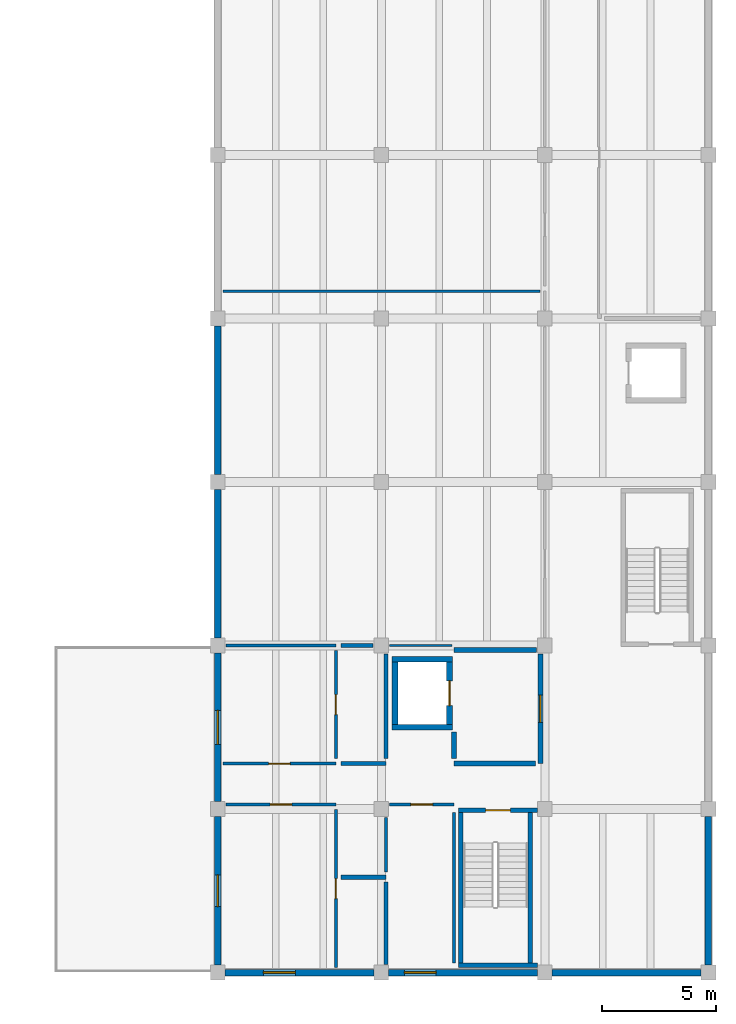
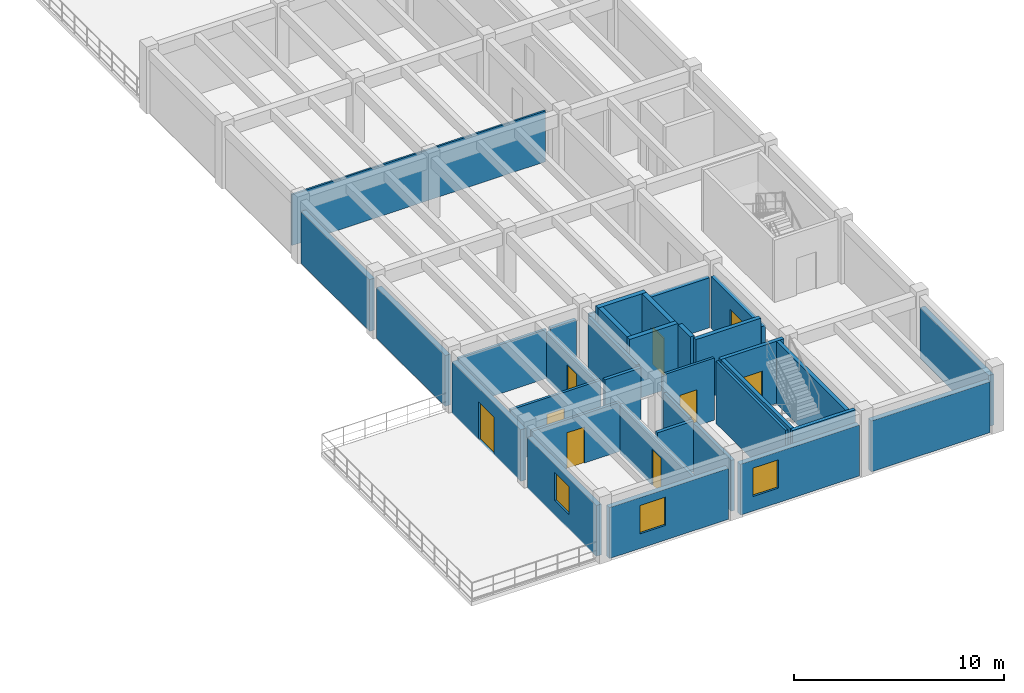
# One storey, part 8 of 13: 35 walls, 9 doors, 3 windows, 12 openings.
"""IFC4 building model written with IfcOpenShell, lengths in metres."""

from ifc_helpers import new_model, si_unit, direction, frame, frame_2d, origin, place, context, subcontext, project, spatial, rectangle, extrude, material, layer, layer_set, type_object, element, fill, save


model = new_model("IFC4")

# Units and contexts
model_context = context("Model", 3, precision=1e-05, world=origin(), true_north=direction((0.0, 1.0)))
body_context = subcontext(model_context, "Body", "Model", "MODEL_VIEW")
ifc_project = project(units=[si_unit("LENGTHUNIT", "METRE"), si_unit("AREAUNIT", "SQUARE_METRE"), si_unit("VOLUMEUNIT", "CUBIC_METRE"), si_unit("PLANEANGLEUNIT", "RADIAN"), si_unit("MASSUNIT", "GRAM", prefix="KILO")], contexts=[model_context])

# Site, building, storey
site_placement = place(None, origin())
site = spatial("IfcSite", under=ifc_project, at=site_placement, CompositionType="ELEMENT")
building_placement = place(site_placement, origin())
building = spatial("IfcBuilding", under=site, at=building_placement, Name="Koriwan Promenade Central Fire Station", CompositionType="ELEMENT")
storey_placement = place(building_placement, frame((0.0, 0.0, 13.5)))
storey = spatial("IfcBuildingStorey", under=building, at=storey_placement, Name="L03", CompositionType="ELEMENT", Elevation=13.5)

# Walls
ifc_material_1 = material(Name="Precast concrete C40/50", Category="concrete")
ifc_layer_1 = layer(ifc_material_1, 0.280029296875, Name="Precast concrete C40/50")
ifc_layer_set_1 = layer_set([ifc_layer_1], Name="Precast concrete C40/50")
wall_type_1 = type_object("IfcWallType", Name="ExtWall_Terracotta_280", PredefinedType="ELEMENTEDWALL", material=ifc_layer_set_1)
wall_1_placement = place(storey_placement, frame((172.800048828125, 0.324951171875, 0.0), z_axis=(0.0, 0.0, 1.0), x_axis=(0.0, 1.0, 0.0)))
element("IfcWall", 1, at=wall_1_placement, inside=storey, type_object=wall_type_1, Name="V5 L03 exterior wall 287", PredefinedType="ELEMENTEDWALL", context=body_context, shape_type="SweptSolid", body=[
    extrude(rectangle(XDim=6.550048828125, YDim=0.280029296875, at=frame_2d((3.27490234375, 0.0))), origin(), (0.0, 0.0, 1.0), 2.9599609375),
])
wall_2_placement = place(storey_placement, frame((151.199951171875, 28.47509765625, 0.0), z_axis=(0.0, 0.0, 1.0), x_axis=(0.0, -1.0, 0.0)))
element("IfcWall", 2, at=wall_2_placement, inside=storey, type_object=wall_type_1, Name="V5 L03 exterior wall 298", PredefinedType="ELEMENTEDWALL", context=body_context, shape_type="SweptSolid", body=[
    extrude(rectangle(XDim=6.550048828125, YDim=0.280029296875, at=frame_2d((3.27490234375, 0.0))), origin(), (0.0, 0.0, 1.0), 3.010009765625),
])
wall_3_placement = place(storey_placement, frame((151.199951171875, 21.27490234375, 0.0), z_axis=(0.0, 0.0, 1.0), x_axis=(0.0, -1.0, 0.0)))
element("IfcWall", 3, at=wall_3_placement, inside=storey, type_object=wall_type_1, Name="V5 L03 exterior wall 299", PredefinedType="ELEMENTEDWALL", context=body_context, shape_type="SweptSolid", body=[
    extrude(rectangle(XDim=6.5498046875, YDim=0.280029296875, at=frame_2d((3.27490234375, 0.0))), origin(), (0.0, 0.0, 1.0), 2.9599609375),
])

# Wall, opening, door
wall_4_placement = place(storey_placement, frame((151.199951171875, 14.074951171875, 0.0), z_axis=(0.0, 0.0, 1.0), x_axis=(0.0, -1.0, 0.0)))
wall_4 = element("IfcWall", 4, at=wall_4_placement, inside=storey, type_object=wall_type_1, Name="V5 L03 exterior wall 300", PredefinedType="ELEMENTEDWALL", context=body_context, shape_type="SweptSolid", body=[
    extrude(rectangle(XDim=6.550048828125, YDim=0.280029296875, at=frame_2d((3.27490234375, 0.0))), origin(), (0.0, 0.0, 1.0), 3.010009765625),
])
opening_1_placement = place(wall_4_placement, frame((2.52490234375, 0.0, 0.0)))
opening_1 = element("IfcOpeningElement", 5, at=opening_1_placement, cuts=wall_4, Name="Opening TD-028", PredefinedType="OPENING", context=body_context, shape_type="SweptSolid", body=[
    extrude(rectangle(XDim=1.5, YDim=2.199951171875, at=frame_2d((0.75, 1.10009765625))), frame((0.0, 0.15185546875, 0.0), z_axis=(0.0, -1.0, 0.0), x_axis=(1.0, 0.0, 0.0)), (0.0, 0.0, 1.0), 0.303955078125),
])
ifc_material_2 = material(Name="Aluminium EN AW-6063-T6 and laminated safety glass", Category="aluminium")
door_type_1 = type_object("IfcDoorType", Name="TerraceDoor_1500x2200", OperationType="DOUBLE_SWING_LEFT", PredefinedType="DOOR", material=ifc_material_2)
door_1_placement = place(opening_1_placement, frame((1.5, 0.0, 0.0), z_axis=(0.0, 0.0, 1.0), x_axis=(-1.0, 0.0, 0.0)))
door_1 = element("IfcDoor", 6, at=door_1_placement, inside=storey, type_object=door_type_1, Name="V5 L03 Terrace Access Door TD-028", OperationType="DOUBLE_SWING_LEFT", OverallHeight=2.199951171875, OverallWidth=1.5, PredefinedType="DOOR", context=body_context, shape_type="SweptSolid", body=[
    extrude(rectangle(XDim=1.5, YDim=2.199951171875, at=frame_2d((0.75, 1.10009765625))), frame((0.0, 0.02490234375, 0.0), z_axis=(0.0, -1.0, 0.0), x_axis=(1.0, 0.0, 0.0)), (0.0, 0.0, 1.0), 0.050048828125),
])
fill(opening_1, door_1)

# Wall, opening, window
wall_5_placement = place(storey_placement, frame((151.199951171875, 6.875, 0.0), z_axis=(0.0, 0.0, 1.0), x_axis=(0.0, -1.0, 0.0)))
wall_5 = element("IfcWall", 7, at=wall_5_placement, inside=storey, type_object=wall_type_1, Name="V5 L03 exterior wall 301", PredefinedType="ELEMENTEDWALL", context=body_context, shape_type="SweptSolid", body=[
    extrude(rectangle(XDim=6.550048828125, YDim=0.280029296875, at=frame_2d((3.27490234375, 0.0))), origin(), (0.0, 0.0, 1.0), 2.9599609375),
])
opening_2_placement = place(wall_5_placement, frame((2.574951171875, 0.0, 0.85009765625)))
opening_2 = element("IfcOpeningElement", 8, at=opening_2_placement, cuts=wall_5, Name="Opening W-07", PredefinedType="OPENING", context=body_context, shape_type="SweptSolid", body=[
    extrude(rectangle(XDim=1.39990234375, YDim=1.64990234375, at=frame_2d((0.699951171875, 0.824951171875))), frame((0.0, 0.15185546875, 0.0), z_axis=(0.0, -1.0, 0.0), x_axis=(1.0, 0.0, 0.0)), (0.0, 0.0, 1.0), 0.303955078125),
])
ifc_material_3 = material(Name="Solar-control low-E laminated double glazing", Category="glass")
window_type = type_object("IfcWindowType", Name="Win_Dorm_1400x1650", PartitioningType="SINGLE_PANEL", PredefinedType="WINDOW", material=ifc_material_3)
window_1_placement = place(opening_2_placement, origin())
window_1 = element("IfcWindow", 9, at=window_1_placement, inside=storey, type_object=window_type, Name="V5 L03 dormitory window 0099", OverallHeight=1.64990234375, OverallWidth=1.39990234375, PartitioningType="SINGLE_PANEL", PredefinedType="WINDOW", context=body_context, shape_type="SweptSolid", body=[
    extrude(rectangle(XDim=1.39990234375, YDim=1.64990234375, at=frame_2d((0.699951171875, 0.824951171875))), frame((0.0, 0.030029296875, 0.0), z_axis=(0.0, -1.0, 0.0), x_axis=(1.0, 0.0, 0.0)), (0.0, 0.0, 1.0), 0.06005859375),
])
fill(opening_2, window_1)

wall_6_placement = place(storey_placement, frame((151.52490234375, 0.0, 0.0), z_axis=(0.0, 0.0, 1.0), x_axis=(1.0, 0.0, 0.0)))
wall_6 = element("IfcWall", 10, at=wall_6_placement, inside=storey, type_object=wall_type_1, Name="V5 L03 exterior wall 302", PredefinedType="ELEMENTEDWALL", context=body_context, shape_type="SweptSolid", body=[
    extrude(rectangle(XDim=6.550048828125, YDim=0.280029296875, at=frame_2d((3.27490234375, 0.0))), origin(), (0.0, 0.0, 1.0), 2.9599609375),
])
opening_3_placement = place(wall_6_placement, frame((1.6875, 0.0, 0.85009765625)))
opening_3 = element("IfcOpeningElement", 11, at=opening_3_placement, cuts=wall_6, Name="Opening W-07", PredefinedType="OPENING", context=body_context, shape_type="SweptSolid", body=[
    extrude(rectangle(XDim=1.39990234375, YDim=1.64990234375, at=frame_2d((0.699951171875, 0.824951171875))), frame((0.0, 0.15185546875, 0.0), z_axis=(0.0, -1.0, 0.0), x_axis=(1.0, 0.0, 0.0)), (0.0, 0.0, 1.0), 0.303955078125),
])
window_2_placement = place(opening_3_placement, origin())
window_2 = element("IfcWindow", 12, at=window_2_placement, inside=storey, type_object=window_type, Name="V5 L03 dormitory window 0100", OverallHeight=1.64990234375, OverallWidth=1.39990234375, PartitioningType="SINGLE_PANEL", PredefinedType="WINDOW", context=body_context, shape_type="SweptSolid", body=[
    extrude(rectangle(XDim=1.39990234375, YDim=1.64990234375, at=frame_2d((0.699951171875, 0.824951171875))), frame((0.0, 0.030029296875, 0.0), z_axis=(0.0, -1.0, 0.0), x_axis=(1.0, 0.0, 0.0)), (0.0, 0.0, 1.0), 0.06005859375),
])
fill(opening_3, window_2)

wall_7_placement = place(storey_placement, frame((158.72509765625, 0.0, 0.0), z_axis=(0.0, 0.0, 1.0), x_axis=(1.0, 0.0, 0.0)))
wall_7 = element("IfcWall", 13, at=wall_7_placement, inside=storey, type_object=wall_type_1, Name="V5 L03 exterior wall 303", PredefinedType="ELEMENTEDWALL", context=body_context, shape_type="SweptSolid", body=[
    extrude(rectangle(XDim=6.5498046875, YDim=0.280029296875, at=frame_2d((3.27490234375, 0.0))), origin(), (0.0, 0.0, 1.0), 2.9599609375),
])
opening_4_placement = place(wall_7_placement, frame((0.6875, 0.0, 0.85009765625)))
opening_4 = element("IfcOpeningElement", 14, at=opening_4_placement, cuts=wall_7, Name="Opening W-07", PredefinedType="OPENING", context=body_context, shape_type="SweptSolid", body=[
    extrude(rectangle(XDim=1.39990234375, YDim=1.64990234375, at=frame_2d((0.699951171875, 0.824951171875))), frame((0.0, 0.15185546875, 0.0), z_axis=(0.0, -1.0, 0.0), x_axis=(1.0, 0.0, 0.0)), (0.0, 0.0, 1.0), 0.303955078125),
])
window_3_placement = place(opening_4_placement, origin())
window_3 = element("IfcWindow", 15, at=window_3_placement, inside=storey, type_object=window_type, Name="V5 L03 dormitory window 0101", OverallHeight=1.64990234375, OverallWidth=1.39990234375, PartitioningType="SINGLE_PANEL", PredefinedType="WINDOW", context=body_context, shape_type="SweptSolid", body=[
    extrude(rectangle(XDim=1.39990234375, YDim=1.64990234375, at=frame_2d((0.699951171875, 0.824951171875))), frame((0.0, 0.030029296875, 0.0), z_axis=(0.0, -1.0, 0.0), x_axis=(1.0, 0.0, 0.0)), (0.0, 0.0, 1.0), 0.06005859375),
])
fill(opening_4, window_3)

# Walls
wall_8_placement = place(storey_placement, frame((165.925048828125, 0.0, 0.0), z_axis=(0.0, 0.0, 1.0), x_axis=(1.0, 0.0, 0.0)))
element("IfcWall", 16, at=wall_8_placement, inside=storey, type_object=wall_type_1, Name="V5 L03 exterior wall 304", PredefinedType="ELEMENTEDWALL", context=body_context, shape_type="SweptSolid", body=[
    extrude(rectangle(XDim=6.550048828125, YDim=0.280029296875, at=frame_2d((3.27490234375, 0.0))), origin(), (0.0, 0.0, 1.0), 2.9599609375),
])
ifc_material_4 = material(Name="Gypsum board acoustic stud partition", Category="gypsum")
ifc_layer_2 = layer(ifc_material_4, 0.10009765625, Name="Gypsum board acoustic stud partition")
ifc_layer_set_2 = layer_set([ifc_layer_2], Name="Gypsum board acoustic stud partition")
wall_type_2 = type_object("IfcWallType", Name="IntWall_Drywall_100", PredefinedType="PARTITIONING", material=ifc_layer_set_2)
wall_9_placement = place(storey_placement, frame((158.764892578125, 14.39990234375, 0.0), z_axis=(0.0, 0.0, 1.0), x_axis=(1.0, 0.0, 0.0)))
element("IfcWall", 17, at=wall_9_placement, inside=storey, type_object=wall_type_2, Name="Radio Engineering and Telemetry Laboratory partition S", PredefinedType="PARTITIONING", context=body_context, shape_type="SweptSolid", body=[
    extrude(rectangle(XDim=2.743896484375, YDim=0.10009765625, at=frame_2d((1.3720703125, 0.0))), origin(), (0.0, 0.0, 1.0), 2.907958984375),
])
wall_10_placement = place(storey_placement, frame((151.419921875, 30.0, 0.0), z_axis=(0.0, 0.0, 1.0), x_axis=(1.0, 0.0, 0.0)))
element("IfcWall", 18, at=wall_10_placement, inside=storey, type_object=wall_type_2, Name="Radio Engineering and Telemetry Laboratory partition N", PredefinedType="PARTITIONING", context=body_context, shape_type="SweptSolid", body=[
    extrude(rectangle(XDim=13.9599609375, YDim=0.10009765625, at=frame_2d((6.97998046875, 0.0))), origin(), (0.0, 0.0, 1.0), 2.9580078125),
])

# Wall, opening, door
ifc_material_5 = material(Name="Concrete C35/45 compartment wall", Category="concrete")
ifc_layer_3 = layer(ifc_material_5, 0.219970703125, Name="Concrete C35/45 compartment wall")
ifc_layer_set_3 = layer_set([ifc_layer_3], Name="Concrete C35/45 compartment wall")
wall_type_3 = type_object("IfcWallType", Name="IntWall_Plant_220", PredefinedType="STANDARD", material=ifc_layer_set_3)
wall_11_placement = place(storey_placement, frame((165.39990234375, 9.199951171875, 0.0), z_axis=(0.0, 0.0, 1.0), x_axis=(0.0, 1.0, 0.0)))
wall_11 = element("IfcWall", 19, at=wall_11_placement, inside=storey, type_object=wall_type_3, Name="Headquarters Firefighting Lift Lobby L03 partition E", PredefinedType="STANDARD", context=body_context, shape_type="SweptSolid", body=[
    extrude(rectangle(XDim=4.8349609375, YDim=0.219970703125, at=frame_2d((2.41748046875, 0.0))), origin(), (0.0, 0.0, 1.0), 3.008056640625),
])
opening_5_placement = place(wall_11_placement, frame((1.8173828125, 0.0, 0.0)))
opening_5 = element("IfcOpeningElement", 20, at=opening_5_placement, cuts=wall_11, Name="Opening D-173", PredefinedType="OPENING", context=body_context, shape_type="SweptSolid", body=[
    extrude(rectangle(XDim=1.199951171875, YDim=2.199951171875, at=frame_2d((0.60009765625, 1.10009765625))), frame((0.0, 0.1220703125, 0.0), z_axis=(0.0, -1.0, 0.0), x_axis=(1.0, 0.0, 0.0)), (0.0, 0.0, 1.0), 0.243896484375),
])
ifc_material_6 = material(Name="Painted galvanized fire-door steel", Category="steel")
door_type_2 = type_object("IfcDoorType", Name="FireDoor_Lobby_1200x2200", OperationType="NOTDEFINED", PredefinedType="DOOR", material=ifc_material_6)
door_2_placement = place(opening_5_placement, origin())
door_2 = element("IfcDoor", 21, at=door_2_placement, inside=storey, type_object=door_type_2, Name="Headquarters Firefighting Lift Lobby L03 Door D-173", OperationType="SINGLE_SWING_LEFT", OverallHeight=2.199951171875, OverallWidth=1.199951171875, PredefinedType="DOOR", context=body_context, shape_type="SweptSolid", body=[
    extrude(rectangle(XDim=1.199951171875, YDim=2.199951171875, at=frame_2d((0.60009765625, 1.10009765625))), frame((0.0, 0.02490234375, 0.0), z_axis=(0.0, -1.0, 0.0), x_axis=(1.0, 0.0, 0.0)), (0.0, 0.0, 1.0), 0.050048828125),
])
fill(opening_5, door_2)

# Walls
wall_12_placement = place(storey_placement, frame((161.60009765625, 9.199951171875, 0.0), z_axis=(0.0, 0.0, 1.0), x_axis=(1.0, 0.0, 0.0)))
element("IfcWall", 22, at=wall_12_placement, inside=storey, type_object=wall_type_3, Name="Headquarters Firefighting Lift Lobby L03 partition S", PredefinedType="STANDARD", context=body_context, shape_type="SweptSolid", body=[
    extrude(rectangle(XDim=3.579833984375, YDim=0.219970703125, at=frame_2d((1.7900390625, 0.0))), origin(), (0.0, 0.0, 1.0), 3.612060546875),
])
wall_13_placement = place(storey_placement, frame((161.60009765625, 14.199951171875, 0.0), z_axis=(0.0, 0.0, 1.0), x_axis=(1.0, 0.0, 0.0)))
element("IfcWall", 23, at=wall_13_placement, inside=storey, type_object=wall_type_3, Name="Headquarters Firefighting Lift Lobby L03 partition N", PredefinedType="STANDARD", context=body_context, shape_type="SweptSolid", body=[
    extrude(rectangle(XDim=3.635009765625, YDim=0.219970703125, at=frame_2d((1.8173828125, 0.0))), origin(), (0.0, 0.0, 1.0), 2.907958984375),
])
wall_14_placement = place(storey_placement, frame((161.60009765625, 9.419921875, 0.0), z_axis=(0.0, 0.0, 1.0), x_axis=(0.0, 1.0, 0.0)))
element("IfcWall", 24, at=wall_14_placement, inside=storey, type_object=wall_type_3, Name="Headquarters Firefighting Lift Lobby L03 partition W", PredefinedType="STANDARD", context=body_context, shape_type="SweptSolid", body=[
    extrude(rectangle(XDim=1.173583984375, YDim=0.219970703125, at=frame_2d((0.5869140625, 0.0))), origin(), (0.0, 0.0, 1.0), 3.612060546875),
])
ifc_material_7 = material(Name="Moisture-resistant sanitary chase wall", Category="gypsum")
ifc_layer_4 = layer(ifc_material_7, 0.179931640625, Name="Moisture-resistant sanitary chase wall")
ifc_layer_set_4 = layer_set([ifc_layer_4], Name="Moisture-resistant sanitary chase wall")
wall_type_4 = type_object("IfcWallType", Name="IntWall_Plumbing_180", PredefinedType="PLUMBINGWALL", material=ifc_layer_set_4)
wall_15_placement = place(storey_placement, frame((156.6201171875, 4.199951171875, 0.0), z_axis=(0.0, 0.0, 1.0), x_axis=(1.0, 0.0, 0.0)))
element("IfcWall", 25, at=wall_15_placement, inside=storey, type_object=wall_type_4, Name="En-Suite Bathroom B1 partition N", PredefinedType="PLUMBINGWALL", context=body_context, shape_type="SweptSolid", body=[
    extrude(rectangle(XDim=1.97998046875, YDim=0.179931640625, at=frame_2d((0.989990234375, 0.0))), origin(), (0.0, 0.0, 1.0), 2.9580078125),
])
wall_16_placement = place(storey_placement, frame((158.60009765625, 0.364990234375, 0.0), z_axis=(0.0, 0.0, 1.0), x_axis=(0.0, 1.0, 0.0)))
element("IfcWall", 26, at=wall_16_placement, inside=storey, type_object=wall_type_4, Name="En-Suite Bathroom B1 partition E", PredefinedType="PLUMBINGWALL", context=body_context, shape_type="SweptSolid", body=[
    extrude(rectangle(XDim=3.614990234375, YDim=0.179931640625, at=frame_2d((1.8076171875, 0.0))), origin(), (0.0, 0.0, 1.0), 2.9580078125),
])
wall_17_placement = place(storey_placement, frame((156.6201171875, 9.199951171875, 0.0), z_axis=(0.0, 0.0, 1.0), x_axis=(1.0, 0.0, 0.0)))
element("IfcWall", 27, at=wall_17_placement, inside=storey, type_object=wall_type_4, Name="En-Suite Bathroom B2 partition S", PredefinedType="PLUMBINGWALL", context=body_context, shape_type="SweptSolid", body=[
    extrude(rectangle(XDim=1.97998046875, YDim=0.179931640625, at=frame_2d((0.989990234375, 0.0))), origin(), (0.0, 0.0, 1.0), 3.008056640625),
])
wall_18_placement = place(storey_placement, frame((156.6201171875, 14.39990234375, 0.0), z_axis=(0.0, 0.0, 1.0), x_axis=(1.0, 0.0, 0.0)))
element("IfcWall", 28, at=wall_18_placement, inside=storey, type_object=wall_type_4, Name="En-Suite Bathroom B2 partition N", PredefinedType="PLUMBINGWALL", context=body_context, shape_type="SweptSolid", body=[
    extrude(rectangle(XDim=1.414794921875, YDim=0.179931640625, at=frame_2d((0.70751953125, 0.0))), origin(), (0.0, 0.0, 1.0), 2.85791015625),
])
wall_19_placement = place(storey_placement, frame((158.60009765625, 9.419921875, 0.0), z_axis=(0.0, 0.0, 1.0), x_axis=(0.0, 1.0, 0.0)))
element("IfcWall", 29, at=wall_19_placement, inside=storey, type_object=wall_type_4, Name="En-Suite Bathroom B2 partition E", PredefinedType="PLUMBINGWALL", context=body_context, shape_type="SweptSolid", body=[
    extrude(rectangle(XDim=4.614990234375, YDim=0.179931640625, at=frame_2d((2.3076171875, 0.0))), origin(), (0.0, 0.0, 1.0), 3.008056640625),
])

# Wall, opening, door
ifc_material_8 = material(Name="Fire-rated double gypsum stud partition", Category="gypsum")
ifc_layer_5 = layer(ifc_material_8, 0.139892578125, Name="Fire-rated double gypsum stud partition")
ifc_layer_set_5 = layer_set([ifc_layer_5], Name="Fire-rated double gypsum stud partition")
wall_type_5 = type_object("IfcWallType", Name="IntWall_Rated_140", PredefinedType="PARTITIONING", material=ifc_layer_set_5)
wall_20_placement = place(storey_placement, frame((151.56494140625, 7.39990234375, 0.0), z_axis=(0.0, 0.0, 1.0), x_axis=(1.0, 0.0, 0.0)))
wall_20 = element("IfcWall", 30, at=wall_20_placement, inside=storey, type_object=wall_type_5, Name="Crew Dormitory Suite B1 partition N", PredefinedType="PARTITIONING", context=body_context, shape_type="SweptSolid", body=[
    extrude(rectangle(XDim=4.8349609375, YDim=0.139892578125, at=frame_2d((2.41748046875, 0.0))), origin(), (0.0, 0.0, 1.0), 2.85791015625),
])
opening_6_placement = place(wall_20_placement, frame((1.9423828125, 0.0, 0.0)))
opening_6 = element("IfcOpeningElement", 31, at=opening_6_placement, cuts=wall_20, Name="Opening D-174", PredefinedType="OPENING", context=body_context, shape_type="SweptSolid", body=[
    extrude(rectangle(XDim=0.949951171875, YDim=2.10009765625, at=frame_2d((0.47509765625, 1.050048828125))), frame((0.0, 0.08203125, 0.0), z_axis=(0.0, -1.0, 0.0), x_axis=(1.0, 0.0, 0.0)), (0.0, 0.0, 1.0), 0.163818359375),
])
ifc_material_9 = material(Name="Hardwood veneer solid-core timber", Category="wood")
door_type_3 = type_object("IfcDoorType", Name="RoomDoor_Dorm_950x2100", OperationType="NOTDEFINED", PredefinedType="DOOR", material=ifc_material_9)
door_3_placement = place(opening_6_placement, origin())
door_3 = element("IfcDoor", 32, at=door_3_placement, inside=storey, type_object=door_type_3, Name="Crew Dormitory Suite B1 Door D-174", OperationType="SINGLE_SWING_RIGHT", OverallHeight=2.10009765625, OverallWidth=0.949951171875, PredefinedType="DOOR", context=body_context, shape_type="SweptSolid", body=[
    extrude(rectangle(XDim=0.949951171875, YDim=2.10009765625, at=frame_2d((0.47509765625, 1.050048828125))), frame((0.0, 0.02490234375, 0.0), z_axis=(0.0, -1.0, 0.0), x_axis=(1.0, 0.0, 0.0)), (0.0, 0.0, 1.0), 0.050048828125),
])
fill(opening_6, door_3)

wall_21_placement = place(storey_placement, frame((156.39990234375, 0.219970703125, 0.0), z_axis=(0.0, 0.0, 1.0), x_axis=(0.0, 1.0, 0.0)))
wall_21 = element("IfcWall", 33, at=wall_21_placement, inside=storey, type_object=wall_type_5, Name="Crew Dormitory Suite B1 partition E", PredefinedType="PARTITIONING", context=body_context, shape_type="SweptSolid", body=[
    extrude(rectangle(XDim=6.9599609375, YDim=0.139892578125, at=frame_2d((3.47998046875, 0.0))), origin(), (0.0, 0.0, 1.0), 2.85791015625),
])
opening_7_placement = place(wall_21_placement, frame((3.0400390625, 0.0, 0.0)))
opening_7 = element("IfcOpeningElement", 34, at=opening_7_placement, cuts=wall_21, Name="Opening D-175", PredefinedType="OPENING", context=body_context, shape_type="SweptSolid", body=[
    extrude(rectangle(XDim=0.8798828125, YDim=2.080078125, at=frame_2d((0.43994140625, 1.0400390625))), frame((0.0, 0.08203125, 0.0), z_axis=(0.0, -1.0, 0.0), x_axis=(1.0, 0.0, 0.0)), (0.0, 0.0, 1.0), 0.163818359375),
])
ifc_material_10 = material(Name="High-pressure laminate moisture-resistant core", Category="wood")
door_type_4 = type_object("IfcDoorType", Name="RoomDoor_Ensuite_880x2080", OperationType="NOTDEFINED", PredefinedType="DOOR", material=ifc_material_10)
door_4_placement = place(opening_7_placement, origin())
door_4 = element("IfcDoor", 35, at=door_4_placement, inside=storey, type_object=door_type_4, Name="En-Suite Bathroom B1 Door D-175", OperationType="SINGLE_SWING_LEFT", OverallHeight=2.080078125, OverallWidth=0.8798828125, PredefinedType="DOOR", context=body_context, shape_type="SweptSolid", body=[
    extrude(rectangle(XDim=0.8798828125, YDim=2.080078125, at=frame_2d((0.43994140625, 1.0400390625))), frame((0.0, 0.02490234375, 0.0), z_axis=(0.0, -1.0, 0.0), x_axis=(1.0, 0.0, 0.0)), (0.0, 0.0, 1.0), 0.050048828125),
])
fill(opening_7, door_4)

wall_22_placement = place(storey_placement, frame((158.764892578125, 7.39990234375, 0.0), z_axis=(0.0, 0.0, 1.0), x_axis=(1.0, 0.0, 0.0)))
wall_22 = element("IfcWall", 36, at=wall_22_placement, inside=storey, type_object=wall_type_5, Name="Crew Dormitory Suite B2 partition N", PredefinedType="PARTITIONING", context=body_context, shape_type="SweptSolid", body=[
    extrude(rectangle(XDim=2.835205078125, YDim=0.139892578125, at=frame_2d((1.41748046875, 0.0))), origin(), (0.0, 0.0, 1.0), 3.612060546875),
])
opening_8_placement = place(wall_22_placement, frame((0.9423828125, 0.0, 0.0)))
opening_8 = element("IfcOpeningElement", 37, at=opening_8_placement, cuts=wall_22, Name="Opening D-176", PredefinedType="OPENING", context=body_context, shape_type="SweptSolid", body=[
    extrude(rectangle(XDim=0.949951171875, YDim=2.10009765625, at=frame_2d((0.47509765625, 1.050048828125))), frame((0.0, 0.08203125, 0.0), z_axis=(0.0, -1.0, 0.0), x_axis=(1.0, 0.0, 0.0)), (0.0, 0.0, 1.0), 0.163818359375),
])
door_5_placement = place(opening_8_placement, origin())
door_5 = element("IfcDoor", 38, at=door_5_placement, inside=storey, type_object=door_type_3, Name="Crew Dormitory Suite B2 Door D-176", OperationType="SINGLE_SWING_RIGHT", OverallHeight=2.10009765625, OverallWidth=0.949951171875, PredefinedType="DOOR", context=body_context, shape_type="SweptSolid", body=[
    extrude(rectangle(XDim=0.949951171875, YDim=2.10009765625, at=frame_2d((0.47509765625, 1.050048828125))), frame((0.0, 0.02490234375, 0.0), z_axis=(0.0, -1.0, 0.0), x_axis=(1.0, 0.0, 0.0)), (0.0, 0.0, 1.0), 0.050048828125),
])
fill(opening_8, door_5)

# Walls
wall_23_placement = place(storey_placement, frame((161.60009765625, 0.421142578125, 0.0), z_axis=(0.0, 0.0, 1.0), x_axis=(0.0, 1.0, 0.0)))
element("IfcWall", 39, at=wall_23_placement, inside=storey, type_object=wall_type_5, Name="Crew Dormitory Suite B2 partition E", PredefinedType="PARTITIONING", context=body_context, shape_type="SweptSolid", body=[
    extrude(rectangle(XDim=6.6376953125, YDim=0.139892578125, at=frame_2d((3.31884765625, 0.0))), origin(), (0.0, 0.0, 1.0), 3.612060546875),
])
wall_24_placement = place(storey_placement, frame((158.60009765625, 4.419921875, 0.0), z_axis=(0.0, 0.0, 1.0), x_axis=(0.0, 1.0, 0.0)))
element("IfcWall", 40, at=wall_24_placement, inside=storey, type_object=wall_type_5, Name="Crew Dormitory Suite B2 partition W", PredefinedType="PARTITIONING", context=body_context, shape_type="SweptSolid", body=[
    extrude(rectangle(XDim=2.4150390625, YDim=0.139892578125, at=frame_2d((1.20751953125, 0.0))), origin(), (0.0, 0.0, 1.0), 2.9580078125),
])

# Wall, opening, door
wall_25_placement = place(storey_placement, frame((151.419921875, 9.199951171875, 0.0), z_axis=(0.0, 0.0, 1.0), x_axis=(1.0, 0.0, 0.0)))
wall_25 = element("IfcWall", 41, at=wall_25_placement, inside=storey, type_object=wall_type_5, Name="Crew Dormitory Suite B3 partition S", PredefinedType="PARTITIONING", context=body_context, shape_type="SweptSolid", body=[
    extrude(rectangle(XDim=4.97998046875, YDim=0.139892578125, at=frame_2d((2.489990234375, 0.0))), origin(), (0.0, 0.0, 1.0), 3.05810546875),
])
opening_9_placement = place(wall_25_placement, frame((2.014892578125, 0.0, 0.0)))
opening_9 = element("IfcOpeningElement", 42, at=opening_9_placement, cuts=wall_25, Name="Opening D-177", PredefinedType="OPENING", context=body_context, shape_type="SweptSolid", body=[
    extrude(rectangle(XDim=0.949951171875, YDim=2.10009765625, at=frame_2d((0.47509765625, 1.050048828125))), frame((0.0, 0.08203125, 0.0), z_axis=(0.0, -1.0, 0.0), x_axis=(1.0, 0.0, 0.0)), (0.0, 0.0, 1.0), 0.163818359375),
])
door_6_placement = place(opening_9_placement, origin())
door_6 = element("IfcDoor", 43, at=door_6_placement, inside=storey, type_object=door_type_3, Name="Crew Dormitory Suite B3 Door D-177", OperationType="SINGLE_SWING_LEFT", OverallHeight=2.10009765625, OverallWidth=0.949951171875, PredefinedType="DOOR", context=body_context, shape_type="SweptSolid", body=[
    extrude(rectangle(XDim=0.949951171875, YDim=2.10009765625, at=frame_2d((0.47509765625, 1.050048828125))), frame((0.0, 0.02490234375, 0.0), z_axis=(0.0, -1.0, 0.0), x_axis=(1.0, 0.0, 0.0)), (0.0, 0.0, 1.0), 0.050048828125),
])
fill(opening_9, door_6)

# Wall
wall_26_placement = place(storey_placement, frame((151.56494140625, 14.39990234375, 0.0), z_axis=(0.0, 0.0, 1.0), x_axis=(1.0, 0.0, 0.0)))
element("IfcWall", 44, at=wall_26_placement, inside=storey, type_object=wall_type_5, Name="Crew Dormitory Suite B3 partition N", PredefinedType="PARTITIONING", context=body_context, shape_type="SweptSolid", body=[
    extrude(rectangle(XDim=4.8349609375, YDim=0.139892578125, at=frame_2d((2.41748046875, 0.0))), origin(), (0.0, 0.0, 1.0), 2.85791015625),
])

# Wall, opening, door
wall_27_placement = place(storey_placement, frame((156.39990234375, 9.419921875, 0.0), z_axis=(0.0, 0.0, 1.0), x_axis=(0.0, 1.0, 0.0)))
wall_27 = element("IfcWall", 45, at=wall_27_placement, inside=storey, type_object=wall_type_5, Name="Crew Dormitory Suite B3 partition E", PredefinedType="PARTITIONING", context=body_context, shape_type="SweptSolid", body=[
    extrude(rectangle(XDim=4.760009765625, YDim=0.139892578125, at=frame_2d((2.3798828125, 0.0))), origin(), (0.0, 0.0, 1.0), 2.85791015625),
])
opening_10_placement = place(wall_27_placement, frame((1.93994140625, 0.0, 0.0)))
opening_10 = element("IfcOpeningElement", 46, at=opening_10_placement, cuts=wall_27, Name="Opening D-178", PredefinedType="OPENING", context=body_context, shape_type="SweptSolid", body=[
    extrude(rectangle(XDim=0.8798828125, YDim=2.080078125, at=frame_2d((0.43994140625, 1.0400390625))), frame((0.0, 0.08203125, 0.0), z_axis=(0.0, -1.0, 0.0), x_axis=(1.0, 0.0, 0.0)), (0.0, 0.0, 1.0), 0.163818359375),
])
door_7_placement = place(opening_10_placement, origin())
door_7 = element("IfcDoor", 47, at=door_7_placement, inside=storey, type_object=door_type_4, Name="En-Suite Bathroom B2 Door D-178", OperationType="SINGLE_SWING_RIGHT", OverallHeight=2.080078125, OverallWidth=0.8798828125, PredefinedType="DOOR", context=body_context, shape_type="SweptSolid", body=[
    extrude(rectangle(XDim=0.8798828125, YDim=2.080078125, at=frame_2d((0.43994140625, 1.0400390625))), frame((0.0, 0.02490234375, 0.0), z_axis=(0.0, -1.0, 0.0), x_axis=(1.0, 0.0, 0.0)), (0.0, 0.0, 1.0), 0.050048828125),
])
fill(opening_10, door_7)

# Wall
ifc_material_11 = material(Name="Concrete C40/50", Category="concrete")
ifc_layer_6 = layer(ifc_material_11, 0.199951171875, Name="Concrete C40/50")
ifc_layer_set_6 = layer_set([ifc_layer_6], Name="Concrete C40/50")
wall_type_6 = type_object("IfcWallType", Name="ShearWall_200", PredefinedType="SHEAR", material=ifc_layer_set_6)
wall_28_placement = place(storey_placement, frame((161.800048828125, 0.330078125, 0.0), z_axis=(0.0, 0.0, 1.0), x_axis=(1.0, 0.0, 0.0)))
element("IfcWall", 48, at=wall_28_placement, inside=storey, type_object=wall_type_6, Name="ST22 L03 structural stair wall S", PredefinedType="SHEAR", context=body_context, shape_type="SweptSolid", body=[
    extrude(rectangle(XDim=3.474853515625, YDim=0.199951171875, at=frame_2d((1.7373046875, 0.0))), origin(), (0.0, 0.0, 1.0), 3.6201171875),
])

# Wall, opening, door
wall_29_placement = place(storey_placement, frame((161.800048828125, 7.14990234375, 0.0), z_axis=(0.0, 0.0, 1.0), x_axis=(1.0, 0.0, 0.0)))
wall_29 = element("IfcWall", 49, at=wall_29_placement, inside=storey, type_object=wall_type_6, Name="ST22 L03 structural stair wall N", PredefinedType="SHEAR", context=body_context, shape_type="SweptSolid", body=[
    extrude(rectangle(XDim=3.474853515625, YDim=0.199951171875, at=frame_2d((1.7373046875, 0.0))), origin(), (0.0, 0.0, 1.0), 3.6201171875),
])
opening_11_placement = place(wall_29_placement, frame((1.1875, 0.0, 0.0)))
opening_11 = element("IfcOpeningElement", 50, at=opening_11_placement, cuts=wall_29, Name="Opening SD-035", PredefinedType="OPENING", context=body_context, shape_type="SweptSolid", body=[
    extrude(rectangle(XDim=1.10009765625, YDim=2.14990234375, at=frame_2d((0.550048828125, 1.074951171875))), frame((0.0, 0.11181640625, 0.0), z_axis=(0.0, -1.0, 0.0), x_axis=(1.0, 0.0, 0.0)), (0.0, 0.0, 1.0), 0.223876953125),
])
door_type_5 = type_object("IfcDoorType", Name="FireDoor_Stair_1100x2150", OperationType="NOTDEFINED", PredefinedType="DOOR", material=ifc_material_6)
door_8_placement = place(opening_11_placement, frame((1.10009765625, 0.0, 0.0), z_axis=(0.0, 0.0, 1.0), x_axis=(-1.0, 0.0, 0.0)))
door_8 = element("IfcDoor", 51, at=door_8_placement, inside=storey, type_object=door_type_5, Name="Protected Stair ST22 Fire Door SD-035", OperationType="SINGLE_SWING_RIGHT", OverallHeight=2.14990234375, OverallWidth=1.10009765625, PredefinedType="DOOR", context=body_context, shape_type="SweptSolid", body=[
    extrude(rectangle(XDim=1.10009765625, YDim=2.14990234375, at=frame_2d((0.550048828125, 1.074951171875))), frame((0.0, 0.02490234375, 0.0), z_axis=(0.0, -1.0, 0.0), x_axis=(1.0, 0.0, 0.0)), (0.0, 0.0, 1.0), 0.050048828125),
])
fill(opening_11, door_8)

# Walls
for number, where, z_axis, x_axis, name in (
    (52, (161.89990234375, 0.429931640625, 0.0), (0.0, 0.0, 1.0), (0.0, 1.0, 0.0), "ST22 L03 structural stair wall W"),
    (53, (164.949951171875, 0.429931640625, 0.0), (0.0, 0.0, 1.0), (0.0, 1.0, 0.0), "ST22 L03 structural stair wall E"),
):
    element("IfcWall", number, at=place(storey_placement, frame(where, z_axis=z_axis, x_axis=x_axis)), inside=storey, type_object=wall_type_6, Name=name, PredefinedType="SHEAR", context=body_context, shape_type="SweptSolid", body=[
        extrude(rectangle(XDim=6.6201171875, YDim=0.199951171875, at=frame_2d((3.31005859375, 0.0))), origin(), (0.0, 0.0, 1.0), 3.6201171875),
    ])
ifc_layer_7 = layer(ifc_material_11, 0.25, Name="Concrete C40/50")
ifc_layer_set_7 = layer_set([ifc_layer_7], Name="Concrete C40/50")
wall_type_7 = type_object("IfcWallType", Name="ShearWall_250", PredefinedType="SHEAR", material=ifc_layer_set_7)
for number, where, z_axis, x_axis, name in (
    (54, (158.875, 10.800048828125, 0.0), (0.0, 0.0, 1.0), (1.0, 0.0, 0.0), "LF01 shaft wall S (L03)"),
    (55, (158.875, 13.800048828125, 0.0), (0.0, 0.0, 1.0), (1.0, 0.0, 0.0), "LF01 shaft wall N (L03)"),
):
    element("IfcWall", number, at=place(storey_placement, frame(where, z_axis=z_axis, x_axis=x_axis)), inside=storey, type_object=wall_type_7, Name=name, PredefinedType="SHEAR", context=body_context, shape_type="SweptSolid", body=[
        extrude(rectangle(XDim=2.64990234375, YDim=0.25, at=frame_2d((1.324951171875, 0.0))), origin(), (0.0, 0.0, 1.0), 3.6201171875),
    ])
wall_30_placement = place(storey_placement, frame((159.0, 10.925048828125, 0.0), z_axis=(0.0, 0.0, 1.0), x_axis=(0.0, 1.0, 0.0)))
element("IfcWall", 56, at=wall_30_placement, inside=storey, type_object=wall_type_7, Name="LF01 shaft wall W (L03)", PredefinedType="SHEAR", context=body_context, shape_type="SweptSolid", body=[
    extrude(rectangle(XDim=2.75, YDim=0.25, at=frame_2d((1.375, 0.0))), origin(), (0.0, 0.0, 1.0), 3.6201171875),
])

# Wall, opening, door
wall_31_placement = place(storey_placement, frame((161.39990234375, 10.925048828125, 0.0), z_axis=(0.0, 0.0, 1.0), x_axis=(0.0, 1.0, 0.0)))
wall_31 = element("IfcWall", 57, at=wall_31_placement, inside=storey, type_object=wall_type_7, Name="LF01 shaft wall E (L03)", PredefinedType="SHEAR", context=body_context, shape_type="SweptSolid", body=[
    extrude(rectangle(XDim=2.75, YDim=0.25, at=frame_2d((1.375, 0.0))), origin(), (0.0, 0.0, 1.0), 3.6201171875),
])
opening_12_placement = place(wall_31_placement, frame((0.824951171875, 0.0, 0.0)))
opening_12 = element("IfcOpeningElement", 58, at=opening_12_placement, cuts=wall_31, Name="Opening LD-LF01-L03", PredefinedType="OPENING", context=body_context, shape_type="SweptSolid", body=[
    extrude(rectangle(XDim=1.10009765625, YDim=2.14990234375, at=frame_2d((0.550048828125, 1.074951171875))), frame((0.0, 0.136962890625, 0.0), z_axis=(0.0, -1.0, 0.0), x_axis=(1.0, 0.0, 0.0)), (0.0, 0.0, 1.0), 0.27392578125),
])
ifc_material_12 = material(Name="Stainless steel 316", Category="steel")
door_type_6 = type_object("IfcDoorType", Name="LiftDoor_Fire_1100x2150", OperationType="SLIDING_TO_LEFT", PredefinedType="DOOR", material=ifc_material_12)
door_9_placement = place(opening_12_placement, origin())
door_9 = element("IfcDoor", 59, at=door_9_placement, inside=storey, type_object=door_type_6, Name="Lift LF01 Sliding Landing Door LD-LF01-L03", OperationType="SLIDING_TO_LEFT", OverallHeight=2.14990234375, OverallWidth=1.10009765625, PredefinedType="DOOR", context=body_context, shape_type="SweptSolid", body=[
    extrude(rectangle(XDim=1.10009765625, YDim=2.14990234375, at=frame_2d((0.550048828125, 1.074951171875))), frame((0.0, 0.02490234375, 0.0), z_axis=(0.0, -1.0, 0.0), x_axis=(1.0, 0.0, 0.0)), (0.0, 0.0, 1.0), 0.050048828125),
])
fill(opening_12, door_9)

save(model, "model.ifc")
